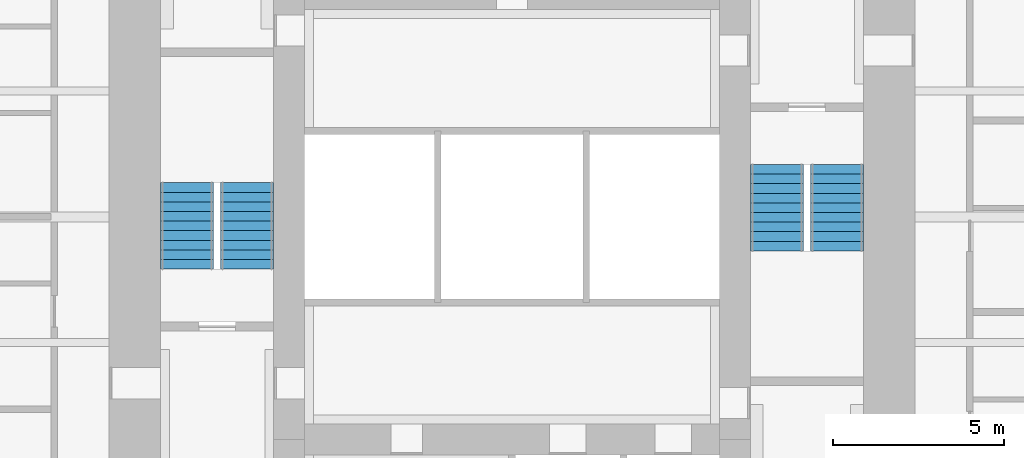
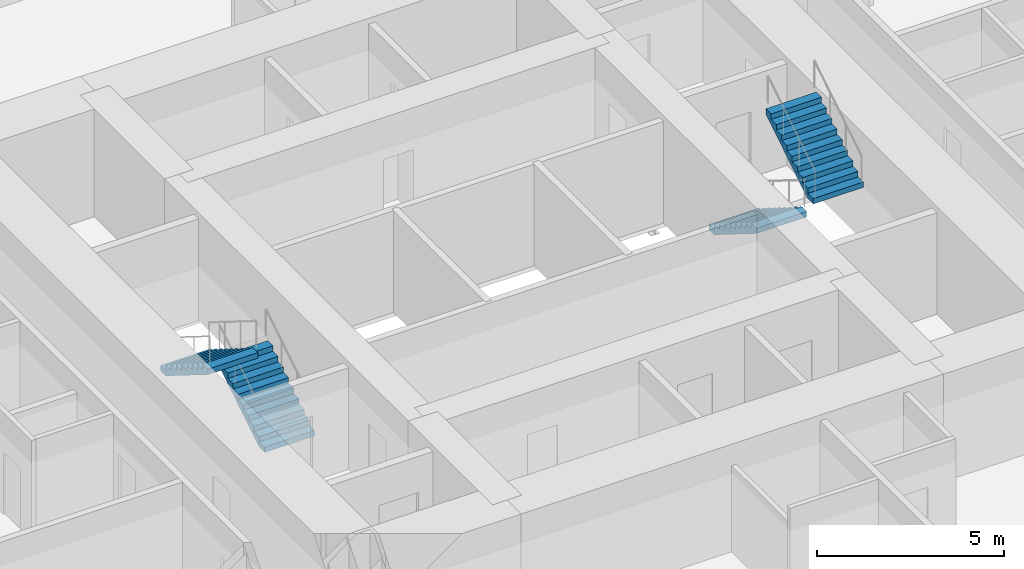
# One storey, part 10 of 11: 4 stair flights, 2 elements without a shape of their own.
"""IFC4 building model written with IfcOpenShell, lengths in metres."""

from ifc_helpers import new_model, si_unit, direction, frame, origin, place, context, subcontext, project, spatial, polyline, outline, extrude, material, type_object, element, aggregate, save


model = new_model("IFC4")

# Units and contexts
model_context = context("Model", 3, precision=1e-05, world=origin(), true_north=direction((0.0, 1.0)))
body_context = subcontext(model_context, "Body", "Model", "MODEL_VIEW")
ifc_project = project(units=[si_unit("LENGTHUNIT", "METRE"), si_unit("AREAUNIT", "SQUARE_METRE"), si_unit("VOLUMEUNIT", "CUBIC_METRE"), si_unit("PLANEANGLEUNIT", "RADIAN"), si_unit("MASSUNIT", "GRAM", prefix="KILO")], contexts=[model_context])

# Site, building, storey
site_placement = place(None, origin())
site = spatial("IfcSite", under=ifc_project, at=site_placement, CompositionType="ELEMENT")
building_placement = place(site_placement, origin())
building = spatial("IfcBuilding", under=site, at=building_placement, Name="Trevanion Tower", CompositionType="ELEMENT")
storey_placement = place(building_placement, frame((0.0, 0.0, 250.199951171875)))
storey = spatial("IfcBuildingStorey", under=building, at=storey_placement, Name="L61", CompositionType="ELEMENT", Elevation=250.199951171875)

# Stair, stair flights
ifc_material_1 = material(Name="Concrete 5,000 psi on steel stringers", Category="concrete")
stair_type = type_object("IfcStairType", Name="ST stair", PredefinedType="HALF_TURN_STAIR", material=ifc_material_1)
stair_1_placement = place(storey_placement, origin())
stair_1 = element("IfcStair", 1, at=stair_1_placement, inside=storey, type_object=stair_type, Name="ST1 L61", PredefinedType="HALF_TURN_STAIR")
ifc_material_2 = material(Name="Concrete 5,000 psi in steel pan", Category="concrete")
stair_flight_type = type_object("IfcStairFlightType", Name="STF stair flight", PredefinedType="STRAIGHT", material=ifc_material_2)
stair_flight_1_placement = place(storey_placement, frame((7.72509765625, 1.52490234375, 0.0), z_axis=(0.0, 0.0, 1.0), x_axis=(0.0, -1.0, 0.0)))
stair_flight_1 = element("IfcStairFlight", 2, at=stair_flight_1_placement, type_object=stair_flight_type, Name="ST1 flight 1", NumberOfRisers=10, NumberOfTreads=9, PredefinedType="STRAIGHT", RiserHeight=0.175, TreadLength=0.28, context=body_context, shape_type="SweptSolid", body=[
    extrude(outline(polyline([(0.0, 0.0), (0.0, 0.175048828125), (0.280029296875, 0.175048828125), (0.280029296875, 0.35009765625), (0.56005859375, 0.35009765625), (0.56005859375, 0.52490234375), (0.840087890625, 0.52490234375), (0.840087890625, 0.699951171875), (1.1201171875, 0.699951171875), (1.1201171875, 0.875), (1.39990234375, 0.875), (1.39990234375, 1.050048828125), (1.679931640625, 1.050048828125), (1.679931640625, 1.22509765625), (1.9599609375, 1.22509765625), (1.9599609375, 1.39990234375), (2.239990234375, 1.39990234375), (2.239990234375, 1.574951171875), (2.52001953125, 1.574951171875), (2.52001953125, 1.75), (2.52001953125, 1.398193359375), (0.28271484375, 0.0), (0.0, 0.0)])), frame((0.0, 0.77490234375, 0.0), z_axis=(0.0, -1.0, 0.0), x_axis=(1.0, 0.0, 0.0)), (0.0, 0.0, 1.0), 1.550048828125),
])
stair_flight_2_placement = place(storey_placement, frame((9.47509765625, -0.9951171875, 1.75), z_axis=(0.0, 0.0, 1.0), x_axis=(0.0, 1.0, 0.0)))
stair_flight_2 = element("IfcStairFlight", 3, at=stair_flight_2_placement, type_object=stair_flight_type, Name="ST1 flight 2", NumberOfRisers=10, NumberOfTreads=9, PredefinedType="STRAIGHT", RiserHeight=0.175, TreadLength=0.28, context=body_context, shape_type="SweptSolid", body=[
    extrude(outline(polyline([(0.0, 0.0), (0.0, 0.175048828125), (0.280029296875, 0.175048828125), (0.280029296875, 0.35009765625), (0.56005859375, 0.35009765625), (0.56005859375, 0.52490234375), (0.840087890625, 0.52490234375), (0.840087890625, 0.699951171875), (1.1201171875, 0.699951171875), (1.1201171875, 0.875), (1.39990234375, 0.875), (1.39990234375, 1.050048828125), (1.679931640625, 1.050048828125), (1.679931640625, 1.22509765625), (1.9599609375, 1.22509765625), (1.9599609375, 1.39990234375), (2.239990234375, 1.39990234375), (2.239990234375, 1.574951171875), (2.52001953125, 1.574951171875), (2.52001953125, 1.75), (2.52001953125, 1.398193359375), (0.28271484375, 0.0), (0.0, 0.0)])), frame((0.0, 0.77490234375, 0.0), z_axis=(0.0, -1.0, 0.0), x_axis=(1.0, 0.0, 0.0)), (0.0, 0.0, 1.0), 1.550048828125),
])
aggregate(stair_1, [stair_flight_1, stair_flight_2])

stair_2_placement = place(storey_placement, origin())
stair_2 = element("IfcStair", 4, at=stair_2_placement, inside=storey, type_object=stair_type, Name="ST2 L61", PredefinedType="HALF_TURN_STAIR")
stair_flight_3_placement = place(storey_placement, frame((-7.72509765625, -1.52490234375, 0.0), z_axis=(0.0, 0.0, 1.0), x_axis=(0.0, 1.0, 0.0)))
stair_flight_3 = element("IfcStairFlight", 5, at=stair_flight_3_placement, type_object=stair_flight_type, Name="ST2 flight 1", NumberOfRisers=10, NumberOfTreads=9, PredefinedType="STRAIGHT", RiserHeight=0.175, TreadLength=0.28, context=body_context, shape_type="SweptSolid", body=[
    extrude(outline(polyline([(0.0, 0.0), (0.0, 0.175048828125), (0.280029296875, 0.175048828125), (0.280029296875, 0.35009765625), (0.56005859375, 0.35009765625), (0.56005859375, 0.52490234375), (0.840087890625, 0.52490234375), (0.840087890625, 0.699951171875), (1.1201171875, 0.699951171875), (1.1201171875, 0.875), (1.39990234375, 0.875), (1.39990234375, 1.050048828125), (1.679931640625, 1.050048828125), (1.679931640625, 1.22509765625), (1.9599609375, 1.22509765625), (1.9599609375, 1.39990234375), (2.239990234375, 1.39990234375), (2.239990234375, 1.574951171875), (2.52001953125, 1.574951171875), (2.52001953125, 1.75), (2.52001953125, 1.398193359375), (0.28271484375, 0.0), (0.0, 0.0)])), frame((0.0, 0.77490234375, 0.0), z_axis=(0.0, -1.0, 0.0), x_axis=(1.0, 0.0, 0.0)), (0.0, 0.0, 1.0), 1.550048828125),
])
stair_flight_4_placement = place(storey_placement, frame((-9.47509765625, 0.9951171875, 1.75), z_axis=(0.0, 0.0, 1.0), x_axis=(0.0, -1.0, 0.0)))
stair_flight_4 = element("IfcStairFlight", 6, at=stair_flight_4_placement, type_object=stair_flight_type, Name="ST2 flight 2", NumberOfRisers=10, NumberOfTreads=9, PredefinedType="STRAIGHT", RiserHeight=0.175, TreadLength=0.28, context=body_context, shape_type="SweptSolid", body=[
    extrude(outline(polyline([(0.0, 0.0), (0.0, 0.175048828125), (0.280029296875, 0.175048828125), (0.280029296875, 0.35009765625), (0.56005859375, 0.35009765625), (0.56005859375, 0.52490234375), (0.840087890625, 0.52490234375), (0.840087890625, 0.699951171875), (1.1201171875, 0.699951171875), (1.1201171875, 0.875), (1.39990234375, 0.875), (1.39990234375, 1.050048828125), (1.679931640625, 1.050048828125), (1.679931640625, 1.22509765625), (1.9599609375, 1.22509765625), (1.9599609375, 1.39990234375), (2.239990234375, 1.39990234375), (2.239990234375, 1.574951171875), (2.52001953125, 1.574951171875), (2.52001953125, 1.75), (2.52001953125, 1.398193359375), (0.28271484375, 0.0), (0.0, 0.0)])), frame((0.0, 0.77490234375, 0.0), z_axis=(0.0, -1.0, 0.0), x_axis=(1.0, 0.0, 0.0)), (0.0, 0.0, 1.0), 1.550048828125),
])
aggregate(stair_2, [stair_flight_3, stair_flight_4])

save(model, "model.ifc")
